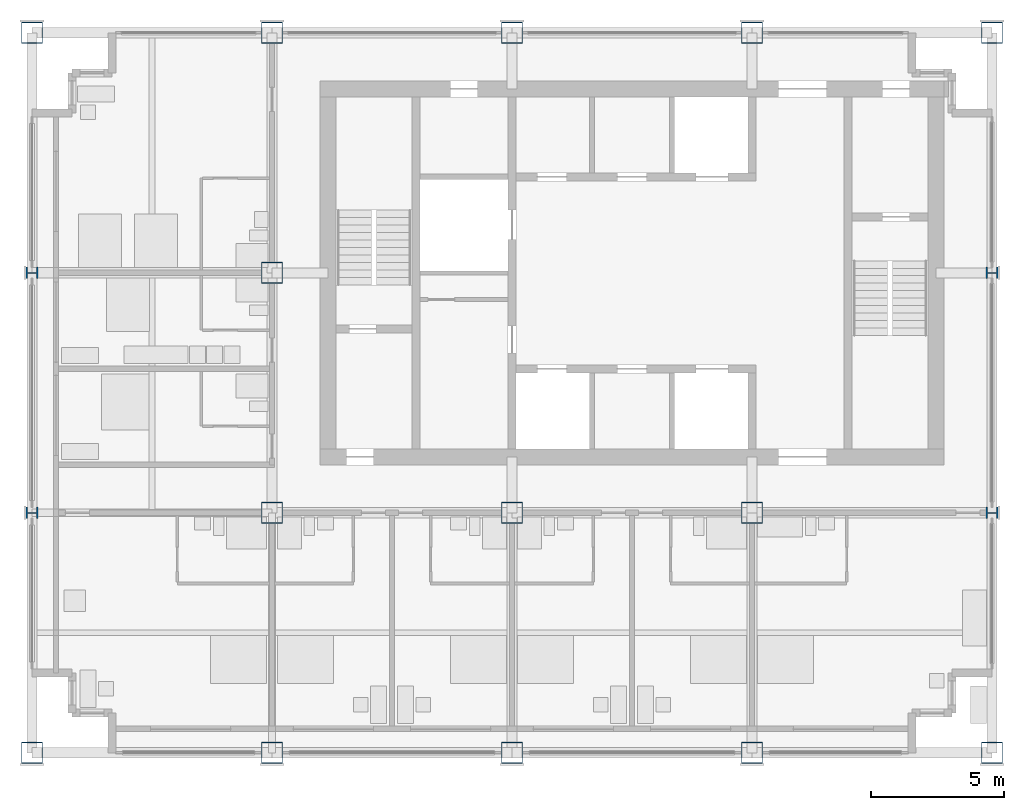
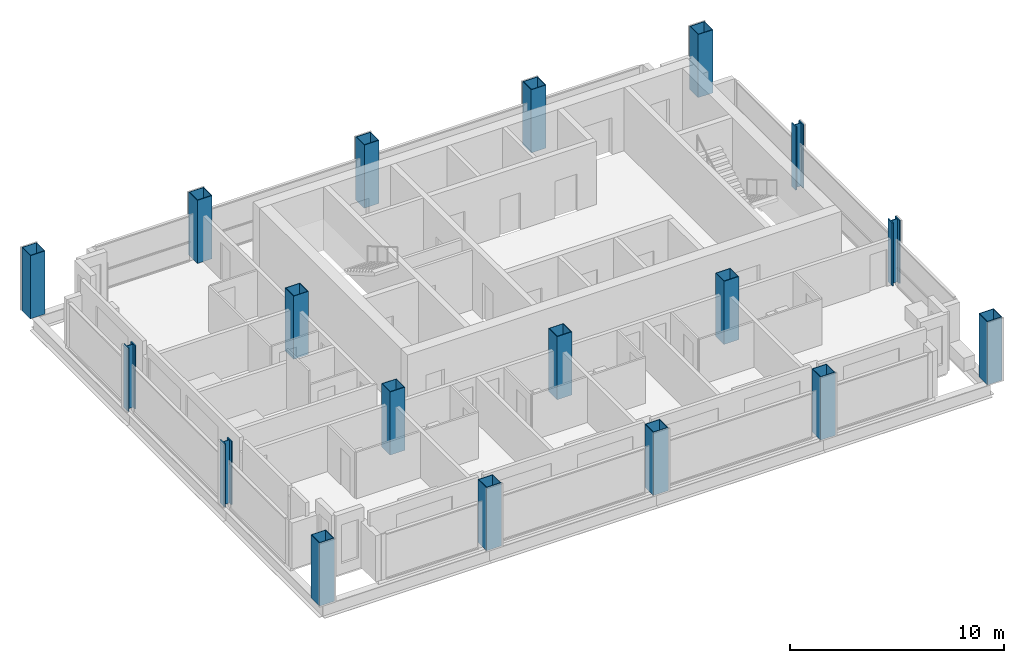
# One storey, part 1 of 12: 18 columns.
"""IFC4 building model written with IfcOpenShell, lengths in metres."""

from ifc_helpers import new_model, si_unit, direction, frame, origin, origin_2d, place, context, subcontext, project, spatial, hollow_rectangle, i_section, extrude, material, material_profile, profile_set, type_object, element, save


model = new_model("IFC4")

# Units and contexts
model_context = context("Model", 3, precision=1e-05, world=origin(), true_north=direction((0.0, 1.0)))
body_context = subcontext(model_context, "Body", "Model", "MODEL_VIEW")
ifc_project = project(units=[si_unit("LENGTHUNIT", "METRE"), si_unit("AREAUNIT", "SQUARE_METRE"), si_unit("VOLUMEUNIT", "CUBIC_METRE"), si_unit("PLANEANGLEUNIT", "RADIAN"), si_unit("MASSUNIT", "GRAM", prefix="KILO")], contexts=[model_context])

# Site, building, storey
site_placement = place(None, origin())
site = spatial("IfcSite", under=ifc_project, at=site_placement, CompositionType="ELEMENT")
building_placement = place(site_placement, origin())
building = spatial("IfcBuilding", under=site, at=building_placement, Name="Loomwork Tower", CompositionType="ELEMENT")
storey_placement = place(building_placement, frame((0.0, 0.0, 259.0)))
storey = spatial("IfcBuildingStorey", under=building, at=storey_placement, Name="L71", CompositionType="ELEMENT", Elevation=259.0)

# Columns
ifc_material_1 = material(Name="Steel ASTM A572 Grade 50 plate", Category="steel")
ifc_material_profile_1 = material_profile(ifc_material_1, hollow_rectangle(XDim=0.800048828125, YDim=0.800048828125, WallThickness=0.031982421875, at=origin_2d()), Name="BOX800x32")
ifc_profile_set_1 = profile_set([ifc_material_profile_1], Name="Steel ASTM A572 Grade 50 plate")
column_type_1 = type_object("IfcColumnType", Name="EXOSKELETON PIER BOX800x32", PredefinedType="COLUMN", material=ifc_profile_set_1)
for number, where, z_axis, x_axis, name in (
    (1, (0.0, 0.0, 0.0), (0.0, 0.0, 1.0), (1.0, 0.0, 0.0), "Exoskeleton Pier D/2 L71"),
    (2, (0.0, 27.0, 0.0), (0.0, 0.0, 1.0), (0.0, 1.0, 0.0), "Exoskeleton Pier G/2 L71"),
    (3, (9.0, 0.0, 0.0), (0.0, 0.0, 1.0), (1.0, 0.0, 0.0), "Exoskeleton Pier D/3 L71"),
    (4, (9.0, 27.0, 0.0), (0.0, 0.0, 1.0), (1.0, 0.0, 0.0), "Exoskeleton Pier G/3 L71"),
    (5, (18.0, 0.0, 0.0), (0.0, 0.0, 1.0), (1.0, 0.0, 0.0), "Exoskeleton Pier D/4 L71"),
    (6, (18.0, 27.0, 0.0), (0.0, 0.0, 1.0), (1.0, 0.0, 0.0), "Exoskeleton Pier G/4 L71"),
    (7, (27.0, 0.0, 0.0), (0.0, 0.0, 1.0), (1.0, 0.0, 0.0), "Exoskeleton Pier D/5 L71"),
    (8, (27.0, 27.0, 0.0), (0.0, 0.0, 1.0), (1.0, 0.0, 0.0), "Exoskeleton Pier G/5 L71"),
    (9, (36.0, 0.0, 0.0), (0.0, 0.0, 1.0), (1.0, 0.0, 0.0), "Exoskeleton Pier D/6 L71"),
    (10, (36.0, 27.0, 0.0), (0.0, 0.0, 1.0), (1.0, 0.0, 0.0), "Exoskeleton Pier G/6 L71"),
):
    element("IfcColumn", number, at=place(storey_placement, frame(where, z_axis=z_axis, x_axis=x_axis)), inside=storey, type_object=column_type_1, Name=name, PredefinedType="COLUMN", context=body_context, shape_type="SweptSolid", body=[
        extrude(hollow_rectangle(XDim=0.800048828125, YDim=0.800048828125, WallThickness=0.031982421875, at=origin_2d()), origin(), (0.0, 0.0, 1.0), 3.60009765625),
    ])
ifc_material_2 = material(Name="Steel ASTM A992", Category="steel")
ifc_material_profile_2 = material_profile(ifc_material_2, i_section(OverallWidth=0.41650390625, OverallDepth=0.444580078125, WebThickness=0.0390625, FlangeThickness=0.062744140625, at=origin_2d()), Name="W14x342")
ifc_profile_set_2 = profile_set([ifc_material_profile_2], Name="Steel ASTM A992")
column_type_2 = type_object("IfcColumnType", Name="EXOSKELETON PIER W14x342", PredefinedType="COLUMN", material=ifc_profile_set_2)
for number, where, z_axis, x_axis, name in (
    (11, (0.0, 9.0, 0.0), (0.0, 0.0, 1.0), (0.0, 1.0, 0.0), "Exoskeleton Pier E/2 L71"),
    (12, (0.0, 18.0, 0.0), (0.0, 0.0, 1.0), (0.0, 1.0, 0.0), "Exoskeleton Pier F/2 L71"),
    (13, (36.0, 9.0, 0.0), (0.0, 0.0, 1.0), (0.0, 1.0, 0.0), "Exoskeleton Pier E/6 L71"),
    (14, (36.0, 18.0, 0.0), (0.0, 0.0, 1.0), (0.0, 1.0, 0.0), "Exoskeleton Pier F/6 L71"),
):
    element("IfcColumn", number, at=place(storey_placement, frame(where, z_axis=z_axis, x_axis=x_axis)), inside=storey, type_object=column_type_2, Name=name, PredefinedType="COLUMN", context=body_context, shape_type="SweptSolid", body=[
        extrude(i_section(OverallWidth=0.41650390625, OverallDepth=0.444580078125, WebThickness=0.0390625, FlangeThickness=0.062744140625, at=origin_2d()), origin(), (0.0, 0.0, 1.0), 3.60009765625),
    ])
ifc_material_3 = material(Name="Steel ASTM A572 Grade 50 plate", Category="steel")
ifc_material_profile_3 = material_profile(ifc_material_3, hollow_rectangle(XDim=0.800048828125, YDim=0.800048828125, WallThickness=0.031982421875, at=origin_2d()), Name="BOX800x32")
ifc_profile_set_3 = profile_set([ifc_material_profile_3], Name="Steel ASTM A572 Grade 50 plate")
column_type_3 = type_object("IfcColumnType", Name="TOWER COLUMN BOX800x32", PredefinedType="COLUMN", material=ifc_profile_set_3)
for number, where, z_axis, x_axis, name in (
    (15, (9.0, 9.0, 0.0), (0.0, 0.0, 1.0), (1.0, 0.0, 0.0), "Tower Column E/3 L71"),
    (16, (9.0, 18.0, 0.0), (0.0, 0.0, 1.0), (1.0, 0.0, 0.0), "Tower Column F/3 L71"),
    (17, (18.0, 9.0, 0.0), (0.0, 0.0, 1.0), (1.0, 0.0, 0.0), "Tower Column E/4 L71"),
    (18, (27.0, 9.0, 0.0), (0.0, 0.0, 1.0), (1.0, 0.0, 0.0), "Tower Column E/5 L71"),
):
    element("IfcColumn", number, at=place(storey_placement, frame(where, z_axis=z_axis, x_axis=x_axis)), inside=storey, type_object=column_type_3, Name=name, PredefinedType="COLUMN", context=body_context, shape_type="SweptSolid", body=[
        extrude(hollow_rectangle(XDim=0.800048828125, YDim=0.800048828125, WallThickness=0.031982421875, at=origin_2d()), origin(), (0.0, 0.0, 1.0), 3.60009765625),
    ])

save(model, "model.ifc")
